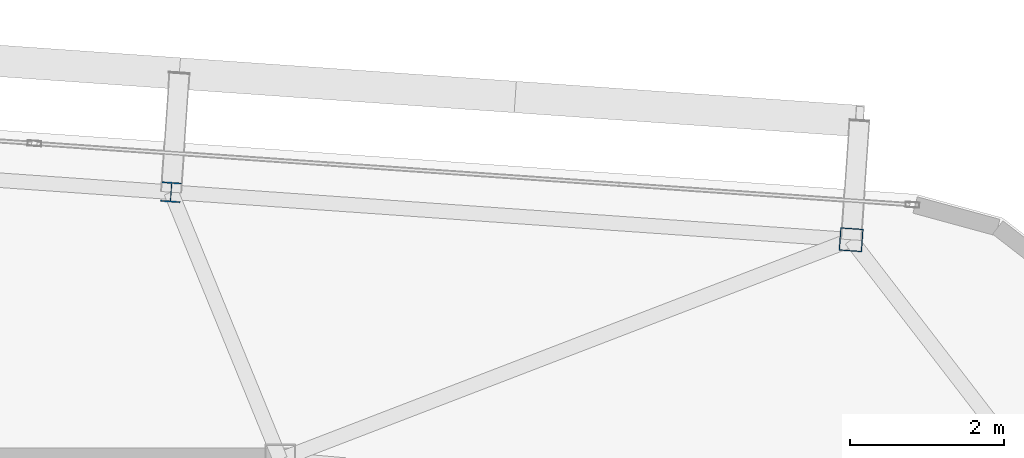
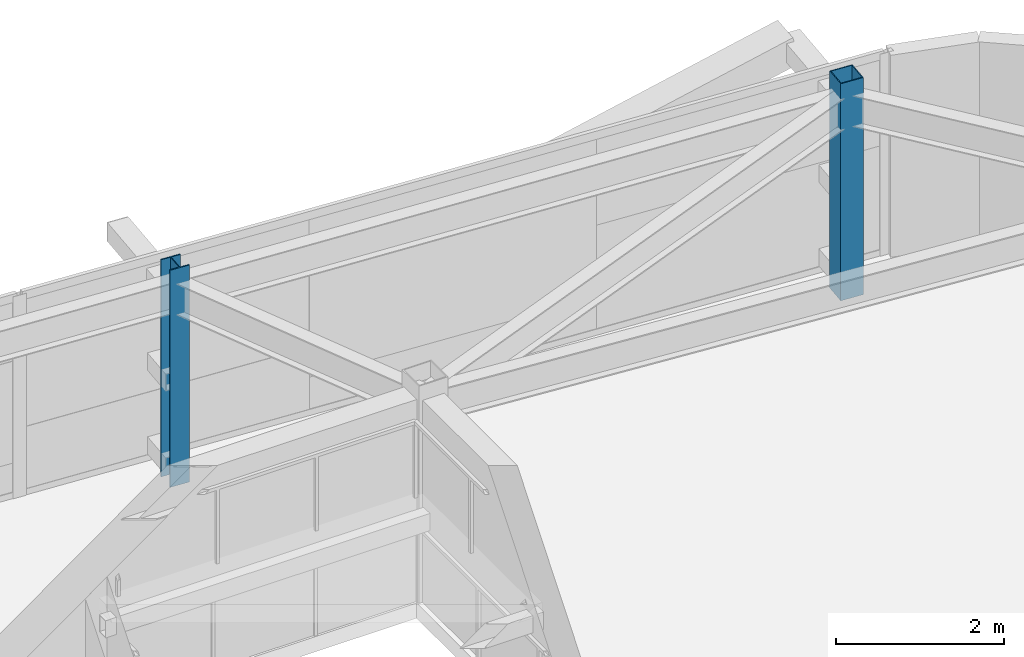
# One storey, part 5 of 39: 2 columns.
"""IFC4 building model written with IfcOpenShell, lengths in metres."""

from ifc_helpers import new_model, si_unit, direction, frame, origin, origin_2d, place, context, subcontext, project, spatial, hollow_rectangle, i_section, extrude, source, transform, mapped, material, material_profile, profile_set, type_object, element, save


model = new_model("IFC4")

# Units and contexts
model_context = context("Model", 3, precision=1e-05, world=origin(), true_north=direction((0.0, 1.0)))
body_context = subcontext(model_context, "Body", "Model", "MODEL_VIEW")
ifc_project = project(units=[si_unit("LENGTHUNIT", "METRE"), si_unit("AREAUNIT", "SQUARE_METRE"), si_unit("VOLUMEUNIT", "CUBIC_METRE"), si_unit("PLANEANGLEUNIT", "RADIAN"), si_unit("MASSUNIT", "GRAM", prefix="KILO")], contexts=[model_context])

# Site, building, storey
site_placement = place(None, origin())
site = spatial("IfcSite", under=ifc_project, at=site_placement, CompositionType="ELEMENT")
building_placement = place(site_placement, origin())
building = spatial("IfcBuilding", under=site, at=building_placement, Name="Taldren Reach Tower", CompositionType="ELEMENT")
storey_placement = place(building_placement, frame((0.0, 0.0, 120.39990234375)))
storey = spatial("IfcBuildingStorey", under=building, at=storey_placement, Name="L36", CompositionType="ELEMENT", Elevation=120.39990234375)

# Columns
ifc_material_1 = material(Name="Steel Gr 450 (C450L0)", Category="steel")
ifc_material_profile_1 = material_profile(ifc_material_1, hollow_rectangle(XDim=0.300048828125, YDim=0.300048828125, WallThickness=0.012451171875, at=origin_2d()), Name="300x300x12.5SHS")
ifc_profile_set_1 = profile_set([ifc_material_profile_1], Name="Steel Gr 450 (C450L0)")
column_type_1 = type_object("IfcColumnType", Name="COL-SHS300", PredefinedType="COLUMN", material=ifc_profile_set_1)
shared_shape_1 = source(origin(), body_context, "Body", "SweptSolid", [
    extrude(hollow_rectangle(XDim=0.300048828125, YDim=0.300048828125, WallThickness=0.012451171875, at=origin_2d()), origin(), (0.0, 0.0, 1.0), 3.150146484375),
])
column_1_placement = place(storey_placement, frame((58.4365234375, 34.861572265625, 0.0), z_axis=(0.0, 0.0, 1.0), x_axis=(0.99756405026, -0.069756473744, 0.0)))
element("IfcColumn", 1, at=column_1_placement, inside=storey, type_object=column_type_1, Name="Block B3 perimeter column N6 L36", PredefinedType="COLUMN", context=body_context, shape_type="MappedRepresentation", body=[
    mapped(shared_shape_1, transform((0.0, 0.0, 0.0), scale=1.0)),
])
ifc_material_2 = material(Name="Steel Gr 350 (350PLUS)", Category="steel")
ifc_material_profile_2 = material_profile(ifc_material_2, i_section(OverallWidth=0.256103515625, OverallDepth=0.260009765625, WebThickness=0.010498046875, FlangeThickness=0.017333984375, at=origin_2d()), Name="250UC89.5")
ifc_profile_set_2 = profile_set([ifc_material_profile_2], Name="Steel Gr 350 (350PLUS)")
column_type_2 = type_object("IfcColumnType", Name="COL-UC250", PredefinedType="COLUMN", material=ifc_profile_set_2)
shared_shape_2 = source(origin(), body_context, "Body", "SweptSolid", [
    extrude(i_section(OverallWidth=0.256103515625, OverallDepth=0.260009765625, WebThickness=0.010498046875, FlangeThickness=0.017333984375, at=origin_2d()), origin(), (0.0, 0.0, 1.0), 3.150146484375),
])
column_2_placement = place(storey_placement, frame((49.578125, 35.48095703125, 0.0), z_axis=(0.0, 0.0, 1.0), x_axis=(0.99756405026, -0.069756473744, 0.0)))
element("IfcColumn", 2, at=column_2_placement, inside=storey, type_object=column_type_2, Name="Block B3 perimeter column N5 L36", PredefinedType="COLUMN", context=body_context, shape_type="MappedRepresentation", body=[
    mapped(shared_shape_2, transform((0.0, 0.0, 0.0), scale=1.0)),
])

save(model, "model.ifc")
